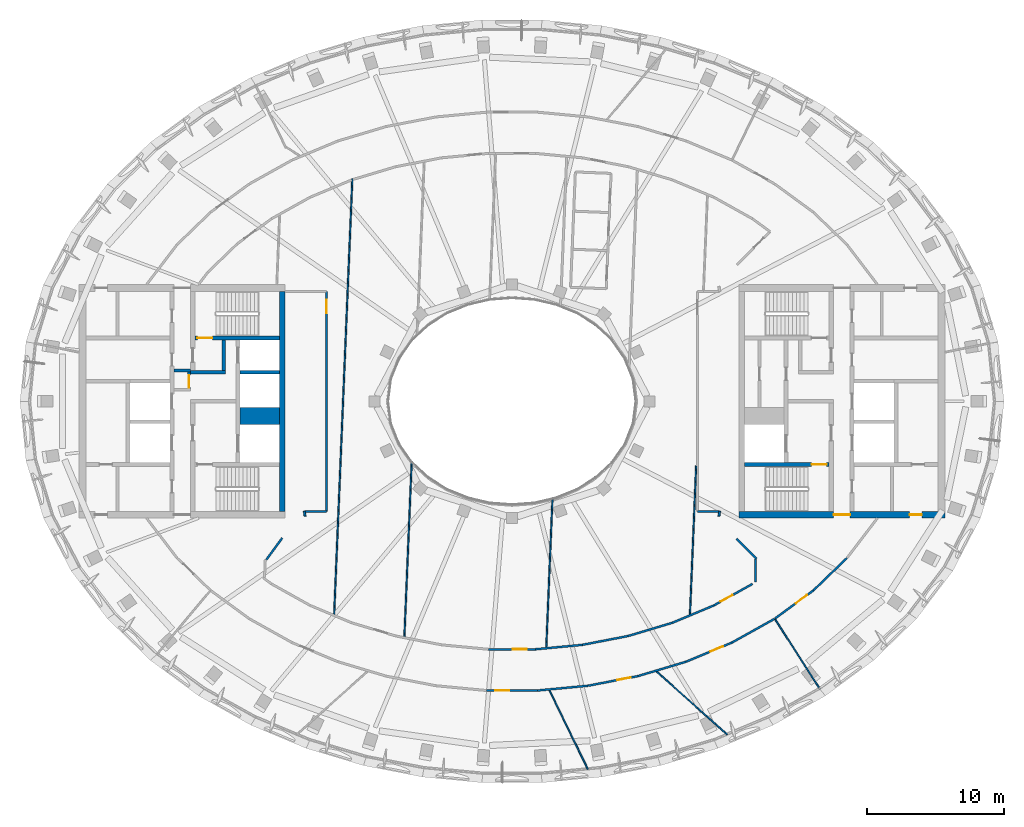
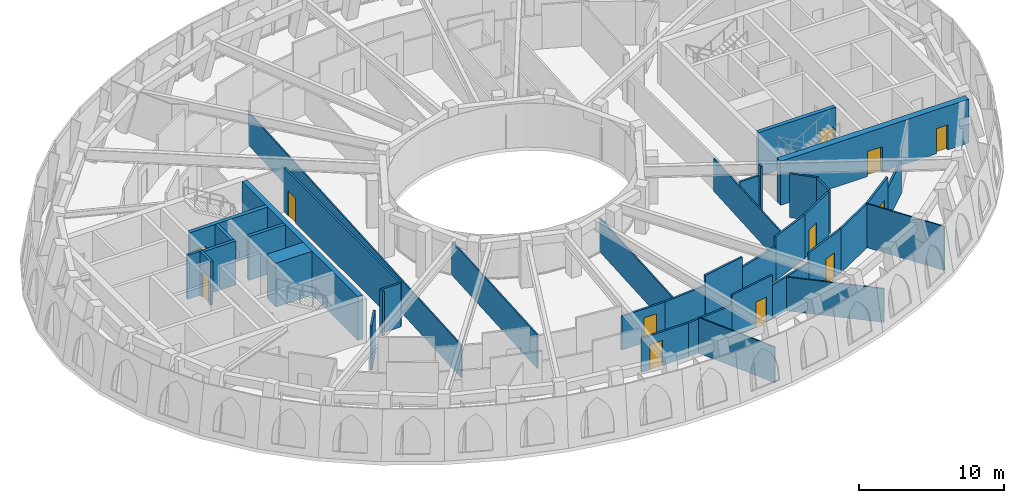
# One storey, part 4 of 14: 39 walls, 12 doors, 12 openings.
"""IFC4 building model written with IfcOpenShell, lengths in metres."""

from ifc_helpers import new_model, si_unit, direction, frame, frame_2d, origin, place, context, subcontext, project, spatial, rectangle, extrude, material, layer, layer_set, type_object, element, fill, save


model = new_model("IFC4")

# Units and contexts
model_context = context("Model", 3, precision=1e-05, world=origin(), true_north=direction((0.0, 1.0)))
body_context = subcontext(model_context, "Body", "Model", "MODEL_VIEW")
ifc_project = project(units=[si_unit("LENGTHUNIT", "METRE"), si_unit("AREAUNIT", "SQUARE_METRE"), si_unit("VOLUMEUNIT", "CUBIC_METRE"), si_unit("PLANEANGLEUNIT", "RADIAN"), si_unit("MASSUNIT", "GRAM", prefix="KILO")], contexts=[model_context])

# Site, building, storey
site_placement = place(None, origin())
site = spatial("IfcSite", under=ifc_project, at=site_placement, CompositionType="ELEMENT")
building_placement = place(site_placement, origin())
building = spatial("IfcBuilding", under=site, at=building_placement, Name="Noorbagh Ring Tower", CompositionType="ELEMENT")
storey_placement = place(building_placement, frame((0.0, 0.0, 335.0)))
storey = spatial("IfcBuildingStorey", under=building, at=storey_placement, Name="L73", CompositionType="ELEMENT", Elevation=335.0)

# Wall
ifc_material_1 = material(Name="Gypsum board on steel studs", Category="steel")
ifc_layer_1 = layer(ifc_material_1, 0.199951171875)
ifc_layer_set_1 = layer_set([ifc_layer_1], Name="Gypsum board on steel studs")
wall_type_1 = type_object("IfcWallType", Name="CORE-PARTITION-200", PredefinedType="PARTITIONING", material=ifc_layer_set_1)
wall_1_placement = place(storey_placement, frame((-23.39990234375, 2.25, 0.0), z_axis=(0.0, 0.0, 1.0), x_axis=(-1.0, 0.0, 0.0)))
element("IfcWall", 1, at=wall_1_placement, inside=storey, type_object=wall_type_1, Name="Core partition W", PredefinedType="PARTITIONING", context=body_context, shape_type="SweptSolid", body=[
    extrude(rectangle(XDim=1.2001953125, YDim=0.199951171875, at=frame_2d((0.60009765625, 0.0))), origin(), (0.0, 0.0, 1.0), 3.699951171875),
])

# Wall, opening, door
wall_2_placement = place(storey_placement, frame((-23.5, 0.75, 0.0), z_axis=(0.0, 0.0, 1.0), x_axis=(0.0, 1.0, 0.0)))
wall_2 = element("IfcWall", 2, at=wall_2_placement, inside=storey, type_object=wall_type_1, Name="Core partition W", PredefinedType="PARTITIONING", context=body_context, shape_type="SweptSolid", body=[
    extrude(rectangle(XDim=1.60009765625, YDim=0.199951171875, at=frame_2d((0.800048828125, 0.0))), origin(), (0.0, 0.0, 1.0), 3.699951171875),
])
opening_1_placement = place(wall_2_placement, frame((0.25, 0.0, 0.0)))
opening_1 = element("IfcOpeningElement", 3, at=opening_1_placement, cuts=wall_2, Name="Opening L73-CW16", PredefinedType="OPENING", context=body_context, shape_type="SweptSolid", body=[
    extrude(rectangle(XDim=0.89990234375, YDim=2.10009765625, at=frame_2d((0.449951171875, 1.050048828125))), frame((0.0, 0.10986328125, 0.0), z_axis=(0.0, -1.0, 0.0), x_axis=(1.0, 0.0, 0.0)), (0.0, 0.0, 1.0), 0.219970703125),
])
ifc_material_2 = material(Name="Steel door leaf", Category="steel")
door_type_1 = type_object("IfcDoorType", Name="CORE-DOOR-DROOM", OperationType="SINGLE_SWING_LEFT", PredefinedType="DOOR", material=ifc_material_2)
door_1_placement = place(opening_1_placement, origin())
door_1 = element("IfcDoor", 4, at=door_1_placement, inside=storey, type_object=door_type_1, Name="Core room door L73-CW16", OperationType="SINGLE_SWING_RIGHT", OverallHeight=2.10009765625, OverallWidth=0.89990234375, PredefinedType="DOOR", context=body_context, shape_type="SweptSolid", body=[
    extrude(rectangle(XDim=0.89990234375, YDim=2.10009765625, at=frame_2d((0.449951171875, 1.050048828125))), frame((0.0, 0.02490234375, 0.0), z_axis=(0.0, -1.0, 0.0), x_axis=(1.0, 0.0, 0.0)), (0.0, 0.0, 1.0), 0.050048828125),
])
fill(opening_1, door_1)

# Walls
ifc_material_3 = material(Name="Concrete C50/60", Category="concrete")
ifc_layer_2 = layer(ifc_material_3, 1.25)
ifc_layer_set_2 = layer_set([ifc_layer_2], Name="Concrete C50/60")
wall_type_2 = type_object("IfcWallType", Name="CORE-WALL-1250-C50-60-EI120", PredefinedType="SHEAR", material=ifc_layer_set_2)
wall_3_placement = place(storey_placement, frame((-16.89990234375, -1.074951171875, 0.0), z_axis=(0.0, 0.0, 1.0), x_axis=(-1.0, 0.0, 0.0)))
element("IfcWall", 5, at=wall_3_placement, inside=storey, type_object=wall_type_2, Name="Core wall W", PredefinedType="SHEAR", context=body_context, shape_type="SweptSolid", body=[
    extrude(rectangle(XDim=2.900146484375, YDim=1.25, at=frame_2d((1.4501953125, 0.0))), origin(), (0.0, 0.0, 1.0), 3.699951171875),
])
ifc_material_4 = material(Name="Concrete C50/60", Category="concrete")
ifc_layer_3 = layer(ifc_material_4, 0.25)
ifc_layer_set_3 = layer_set([ifc_layer_3], Name="Concrete C50/60")
wall_type_3 = type_object("IfcWallType", Name="CORE-WALL-250-C50-60-EI120", PredefinedType="SHEAR", material=ifc_layer_set_3)
wall_4_placement = place(storey_placement, frame((-16.89990234375, 2.125, 0.0), z_axis=(0.0, 0.0, 1.0), x_axis=(-1.0, 0.0, 0.0)))
element("IfcWall", 6, at=wall_4_placement, inside=storey, type_object=wall_type_3, Name="Core wall W", PredefinedType="SHEAR", context=body_context, shape_type="SweptSolid", body=[
    extrude(rectangle(XDim=2.900146484375, YDim=0.25, at=frame_2d((1.4501953125, 0.0))), origin(), (0.0, 0.0, 1.0), 3.699951171875),
])
ifc_material_5 = material(Name="Concrete C50/60", Category="concrete")
ifc_layer_4 = layer(ifc_material_5, 0.25)
ifc_layer_set_4 = layer_set([ifc_layer_4], Name="Concrete C50/60")
wall_type_4 = type_object("IfcWallType", Name="CORE-WALL-250-C50-60-EI240", PredefinedType="SHEAR", material=ifc_layer_set_4)
wall_5_placement = place(storey_placement, frame((-20.85009765625, 2.125, 0.0), z_axis=(0.0, 0.0, 1.0), x_axis=(-1.0, 0.0, 0.0)))
element("IfcWall", 7, at=wall_5_placement, inside=storey, type_object=wall_type_4, Name="Core wall W", PredefinedType="SHEAR", context=body_context, shape_type="SweptSolid", body=[
    extrude(rectangle(XDim=2.52978515625, YDim=0.25, at=frame_2d((1.264892578125, 0.0))), origin(), (0.0, 0.0, 1.0), 3.699951171875),
])
wall_6_placement = place(storey_placement, frame((-20.97509765625, 2.25, 0.0), z_axis=(0.0, 0.0, 1.0), x_axis=(0.0, 1.0, 0.0)))
element("IfcWall", 8, at=wall_6_placement, inside=storey, type_object=wall_type_4, Name="Core wall W", PredefinedType="SHEAR", context=body_context, shape_type="SweptSolid", body=[
    extrude(rectangle(XDim=2.199951171875, YDim=0.25, at=frame_2d((1.10009765625, 0.0))), origin(), (0.0, 0.0, 1.0), 3.699951171875),
])

# Wall, opening, door
ifc_material_6 = material(Name="Concrete C50/60", Category="concrete")
ifc_layer_5 = layer(ifc_material_6, 0.300048828125)
ifc_layer_set_5 = layer_set([ifc_layer_5], Name="Concrete C50/60")
wall_type_5 = type_object("IfcWallType", Name="CORE-WALL-300-C50-60-EI240", PredefinedType="SHEAR", material=ifc_layer_set_5)
wall_7_placement = place(storey_placement, frame((-16.89990234375, 4.60009765625, 0.0), z_axis=(0.0, 0.0, 1.0), x_axis=(-1.0, 0.0, 0.0)))
wall_7 = element("IfcWall", 9, at=wall_7_placement, inside=storey, type_object=wall_type_5, Name="Core wall W", PredefinedType="SHEAR", context=body_context, shape_type="SweptSolid", body=[
    extrude(rectangle(XDim=6.18017578125, YDim=0.300048828125, at=frame_2d((3.090087890625, 0.0))), origin(), (0.0, 0.0, 1.0), 3.699951171875),
])
opening_2_placement = place(wall_7_placement, frame((4.89990234375, 0.0, 0.0)))
opening_2 = element("IfcOpeningElement", 10, at=opening_2_placement, cuts=wall_7, Name="Opening L73-CW05", PredefinedType="OPENING", context=body_context, shape_type="SweptSolid", body=[
    extrude(rectangle(XDim=1.10009765625, YDim=2.10009765625, at=frame_2d((0.550048828125, 1.050048828125))), frame((0.0, 0.16015625, 0.0), z_axis=(0.0, -1.0, 0.0), x_axis=(1.0, 0.0, 0.0)), (0.0, 0.0, 1.0), 0.320068359375),
])
ifc_material_7 = material(Name="Steel door leaf", Category="steel")
door_type_2 = type_object("IfcDoorType", Name="CORE-DOOR-DSTAIR", OperationType="SINGLE_SWING_LEFT", PredefinedType="DOOR", material=ifc_material_7)
door_2_placement = place(opening_2_placement, origin())
door_2 = element("IfcDoor", 11, at=door_2_placement, inside=storey, type_object=door_type_2, Name="Stair door ST1 L73-CW05", OperationType="SINGLE_SWING_RIGHT", OverallHeight=2.10009765625, OverallWidth=1.10009765625, PredefinedType="DOOR", context=body_context, shape_type="SweptSolid", body=[
    extrude(rectangle(XDim=1.10009765625, YDim=2.10009765625, at=frame_2d((0.550048828125, 1.050048828125))), frame((0.0, 0.02490234375, 0.0), z_axis=(0.0, -1.0, 0.0), x_axis=(1.0, 0.0, 0.0)), (0.0, 0.0, 1.0), 0.050048828125),
])
fill(opening_2, door_2)

wall_8_placement = place(storey_placement, frame((16.89990234375, -4.60009765625, 0.0), z_axis=(0.0, 0.0, 1.0), x_axis=(1.0, 0.0, 0.0)))
wall_8 = element("IfcWall", 12, at=wall_8_placement, inside=storey, type_object=wall_type_5, Name="Core wall E", PredefinedType="SHEAR", context=body_context, shape_type="SweptSolid", body=[
    extrude(rectangle(XDim=6.18017578125, YDim=0.300048828125, at=frame_2d((3.090087890625, 0.0))), origin(), (0.0, 0.0, 1.0), 3.699951171875),
])
opening_3_placement = place(wall_8_placement, frame((4.89990234375, 0.0, 0.0)))
opening_3 = element("IfcOpeningElement", 13, at=opening_3_placement, cuts=wall_8, Name="Opening L73-CE05", PredefinedType="OPENING", context=body_context, shape_type="SweptSolid", body=[
    extrude(rectangle(XDim=1.10009765625, YDim=2.10009765625, at=frame_2d((0.550048828125, 1.050048828125))), frame((0.0, 0.16015625, 0.0), z_axis=(0.0, -1.0, 0.0), x_axis=(1.0, 0.0, 0.0)), (0.0, 0.0, 1.0), 0.320068359375),
])
door_3_placement = place(opening_3_placement, origin())
door_3 = element("IfcDoor", 14, at=door_3_placement, inside=storey, type_object=door_type_2, Name="Stair door ST4 L73-CE05", OperationType="SINGLE_SWING_RIGHT", OverallHeight=2.10009765625, OverallWidth=1.10009765625, PredefinedType="DOOR", context=body_context, shape_type="SweptSolid", body=[
    extrude(rectangle(XDim=1.10009765625, YDim=2.10009765625, at=frame_2d((0.550048828125, 1.050048828125))), frame((0.0, 0.02490234375, 0.0), z_axis=(0.0, -1.0, 0.0), x_axis=(1.0, 0.0, 0.0)), (0.0, 0.0, 1.0), 0.050048828125),
])
fill(opening_3, door_3)

# Wall
ifc_material_8 = material(Name="Concrete C50/60", Category="concrete")
ifc_layer_6 = layer(ifc_material_8, 0.39990234375)
ifc_layer_set_6 = layer_set([ifc_layer_6], Name="Concrete C50/60")
wall_type_6 = type_object("IfcWallType", Name="CORE-WALL-400-C50-60-EI240", PredefinedType="SHEAR", material=ifc_layer_set_6)
wall_9_placement = place(storey_placement, frame((-16.699951171875, -8.0, 0.0), z_axis=(0.0, 0.0, 1.0), x_axis=(0.0, 1.0, 0.0)))
element("IfcWall", 15, at=wall_9_placement, inside=storey, type_object=wall_type_6, Name="Core wall W", PredefinedType="SHEAR", context=body_context, shape_type="SweptSolid", body=[
    extrude(rectangle(XDim=16.0, YDim=0.39990234375, at=frame_2d((8.0, 0.0))), origin(), (0.0, 0.0, 1.0), 3.699951171875),
])

# Wall, openings, doors
ifc_material_9 = material(Name="Concrete C50/60", Category="concrete")
ifc_layer_7 = layer(ifc_material_9, 0.5)
ifc_layer_set_7 = layer_set([ifc_layer_7], Name="Concrete C50/60")
wall_type_7 = type_object("IfcWallType", Name="CORE-WALL-500-C50-60-EI240", PredefinedType="SHEAR", material=ifc_layer_set_7)
wall_10_placement = place(storey_placement, frame((16.5, -8.25, 0.0), z_axis=(0.0, 0.0, 1.0), x_axis=(1.0, 0.0, 0.0)))
wall_10 = element("IfcWall", 16, at=wall_10_placement, inside=storey, type_object=wall_type_7, Name="Core wall E", PredefinedType="SHEAR", context=body_context, shape_type="SweptSolid", body=[
    extrude(rectangle(XDim=15.0, YDim=0.5, at=frame_2d((7.5, 0.0))), origin(), (0.0, 0.0, 1.0), 3.699951171875),
])
opening_4_placement = place(wall_10_placement, frame((6.89990234375, 0.0, 0.0)))
opening_4 = element("IfcOpeningElement", 17, at=opening_4_placement, cuts=wall_10, Name="Opening L73-CE09", PredefinedType="OPENING", context=body_context, shape_type="SweptSolid", body=[
    extrude(rectangle(XDim=1.199951171875, YDim=2.10009765625, at=frame_2d((0.60009765625, 1.050048828125))), frame((0.0, 0.260009765625, 0.0), z_axis=(0.0, -1.0, 0.0), x_axis=(1.0, 0.0, 0.0)), (0.0, 0.0, 1.0), 0.52001953125),
])
opening_5_placement = place(wall_10_placement, frame((12.425048828125, 0.0, 0.0)))
opening_5 = element("IfcOpeningElement", 18, at=opening_5_placement, cuts=wall_10, Name="Opening L73-CE16", PredefinedType="OPENING", context=body_context, shape_type="SweptSolid", body=[
    extrude(rectangle(XDim=0.89990234375, YDim=2.10009765625, at=frame_2d((0.449951171875, 1.050048828125))), frame((0.0, 0.260009765625, 0.0), z_axis=(0.0, -1.0, 0.0), x_axis=(1.0, 0.0, 0.0)), (0.0, 0.0, 1.0), 0.52001953125),
])
door_4_placement = place(opening_5_placement, origin())
door_4 = element("IfcDoor", 19, at=door_4_placement, inside=storey, type_object=door_type_1, Name="Core room door L73-CE16", OperationType="SINGLE_SWING_RIGHT", OverallHeight=2.10009765625, OverallWidth=0.89990234375, PredefinedType="DOOR", context=body_context, shape_type="SweptSolid", body=[
    extrude(rectangle(XDim=0.89990234375, YDim=2.10009765625, at=frame_2d((0.449951171875, 1.050048828125))), frame((0.0, 0.02490234375, 0.0), z_axis=(0.0, -1.0, 0.0), x_axis=(1.0, 0.0, 0.0)), (0.0, 0.0, 1.0), 0.050048828125),
])
fill(opening_5, door_4)
ifc_material_10 = material(Name="Steel door leaf", Category="steel")
door_type_3 = type_object("IfcDoorType", Name="CORE-DOOR-PORT", OperationType="DOUBLE_DOOR_DOUBLE_SWING", PredefinedType="DOOR", material=ifc_material_10)
door_5_placement = place(opening_4_placement, origin())
door_5 = element("IfcDoor", 20, at=door_5_placement, inside=storey, type_object=door_type_3, Name="Core entrance door L73-CE09", OperationType="DOUBLE_DOOR_DOUBLE_SWING", OverallHeight=2.10009765625, OverallWidth=1.199951171875, PredefinedType="DOOR", context=body_context, shape_type="SweptSolid", body=[
    extrude(rectangle(XDim=1.199951171875, YDim=2.10009765625, at=frame_2d((0.60009765625, 1.050048828125))), frame((0.0, 0.02490234375, 0.0), z_axis=(0.0, -1.0, 0.0), x_axis=(1.0, 0.0, 0.0)), (0.0, 0.0, 1.0), 0.050048828125),
])
fill(opening_4, door_5)

# Walls
ifc_material_11 = material(Name="Gypsum board on steel studs", Category="steel")
ifc_layer_8 = layer(ifc_material_11, 0.14990234375)
ifc_layer_set_8 = layer_set([ifc_layer_8], Name="Gypsum board on steel studs")
wall_type_8 = type_object("IfcWallType", Name="CORRIDOR PARTITION 150 EI 30", PredefinedType="PARTITIONING", material=ifc_layer_set_8)
wall_11_placement = place(storey_placement, frame((-17.8798828125, -11.530029296875, 0.0), z_axis=(0.0, 0.0, 1.0), x_axis=(0.5903860429, 0.807121007253, 0.0)))
element("IfcWall", 21, at=wall_11_placement, inside=storey, type_object=wall_type_8, Name="L73/wall/P17", PredefinedType="PARTITIONING", context=body_context, shape_type="SweptSolid", body=[
    extrude(rectangle(XDim=1.97119140625, YDim=0.14990234375, at=frame_2d((0.985595703125, 0.0))), origin(), (0.0, 0.0, 1.0), 3.699951171875),
])
wall_12_placement = place(storey_placement, frame((-15.110107421875, -8.0, 0.0), z_axis=(0.0, 0.0, 1.0), x_axis=(0.147086595442, -0.989123618888, 0.0)))
element("IfcWall", 22, at=wall_12_placement, inside=storey, type_object=wall_type_8, Name="L73/wall/P26", PredefinedType="PARTITIONING", context=body_context, shape_type="SweptSolid", body=[
    extrude(rectangle(XDim=0.36181640625, YDim=0.14990234375, at=frame_2d((0.180908203125, 0.0))), origin(), (0.0, 0.0, 1.0), 3.699951171875),
])
wall_13_placement = place(storey_placement, frame((-15.110107421875, -8.0, 0.0), z_axis=(0.0, 0.0, 1.0), x_axis=(1.0, 0.0, 0.0)))
element("IfcWall", 23, at=wall_13_placement, inside=storey, type_object=wall_type_8, Name="L73/wall/P27", PredefinedType="PARTITIONING", context=body_context, shape_type="SweptSolid", body=[
    extrude(rectangle(XDim=1.610107421875, YDim=0.14990234375, at=frame_2d((0.80517578125, 0.0))), origin(), (0.0, 0.0, 1.0), 3.699951171875),
])

# Wall, opening, door
wall_14_placement = place(storey_placement, frame((-13.5, -8.0, 0.0), z_axis=(0.0, 0.0, 1.0), x_axis=(0.0, 1.0, 0.0)))
wall_14 = element("IfcWall", 24, at=wall_14_placement, inside=storey, type_object=wall_type_8, Name="L73/wall/P30", PredefinedType="PARTITIONING", context=body_context, shape_type="SweptSolid", body=[
    extrude(rectangle(XDim=16.0, YDim=0.14990234375, at=frame_2d((8.0, 0.0))), origin(), (0.0, 0.0, 1.0), 3.699951171875),
])
opening_6_placement = place(wall_14_placement, frame((14.39990234375, 0.0, 0.0)))
opening_6 = element("IfcOpeningElement", 25, at=opening_6_placement, cuts=wall_14, Name="Opening D1", PredefinedType="OPENING", context=body_context, shape_type="SweptSolid", body=[
    extrude(rectangle(XDim=1.0, YDim=2.10009765625, at=frame_2d((0.5, 1.050048828125))), frame((0.0, 0.0849609375, 0.0), z_axis=(0.0, -1.0, 0.0), x_axis=(1.0, 0.0, 0.0)), (0.0, 0.0, 1.0), 0.169921875),
])
ifc_material_12 = material(Name="Timber, painted", Category="wood")
door_type_4 = type_object("IfcDoorType", Name="DOOR 1000 X 2100 FD30", OperationType="SINGLE_SWING_LEFT", PredefinedType="DOOR", material=ifc_material_12)
door_6_placement = place(opening_6_placement, origin())
door_6 = element("IfcDoor", 26, at=door_6_placement, inside=storey, type_object=door_type_4, Name="L73-D16", OperationType="SINGLE_SWING_RIGHT", OverallHeight=2.10009765625, OverallWidth=1.0, PredefinedType="DOOR", context=body_context, shape_type="SweptSolid", body=[
    extrude(rectangle(XDim=1.0, YDim=2.10009765625, at=frame_2d((0.5, 1.050048828125))), frame((0.0, 0.02490234375, 0.0), z_axis=(0.0, -1.0, 0.0), x_axis=(1.0, 0.0, 0.0)), (0.0, 0.0, 1.0), 0.050048828125),
])
fill(opening_6, door_6)

wall_15_placement = place(storey_placement, frame((-1.85498046875, -21.041015625, 0.0), z_axis=(0.0, 0.0, 1.0), x_axis=(1.0, 0.0, 0.0)))
wall_15 = element("IfcWall", 27, at=wall_15_placement, inside=storey, type_object=wall_type_8, Name="L73/wall/P46", PredefinedType="PARTITIONING", context=body_context, shape_type="SweptSolid", body=[
    extrude(rectangle(XDim=3.7099609375, YDim=0.14990234375, at=frame_2d((1.85498046875, 0.0))), origin(), (0.0, 0.0, 1.0), 2.85009765625),
])
opening_7_placement = place(wall_15_placement, frame((0.64990234375, 0.0, 0.0)))
opening_7 = element("IfcOpeningElement", 28, at=opening_7_placement, cuts=wall_15, Name="Opening D1", PredefinedType="OPENING", context=body_context, shape_type="SweptSolid", body=[
    extrude(rectangle(XDim=1.0, YDim=2.10009765625, at=frame_2d((0.5, 1.050048828125))), frame((0.0, 0.0849609375, 0.0), z_axis=(0.0, -1.0, 0.0), x_axis=(1.0, 0.0, 0.0)), (0.0, 0.0, 1.0), 0.169921875),
])
door_7_placement = place(opening_7_placement, origin())
door_7 = element("IfcDoor", 29, at=door_7_placement, inside=storey, type_object=door_type_4, Name="L73-D09", OperationType="SINGLE_SWING_LEFT", OverallHeight=2.10009765625, OverallWidth=1.0, PredefinedType="DOOR", context=body_context, shape_type="SweptSolid", body=[
    extrude(rectangle(XDim=1.0, YDim=2.10009765625, at=frame_2d((0.5, 1.050048828125))), frame((0.0, 0.02490234375, 0.0), z_axis=(0.0, -1.0, 0.0), x_axis=(1.0, 0.0, 0.0)), (0.0, 0.0, 1.0), 0.050048828125),
])
fill(opening_7, door_7)

wall_16_placement = place(storey_placement, frame((-1.714111328125, -18.041015625, 0.0), z_axis=(0.0, 0.0, 1.0), x_axis=(1.0, 0.0, 0.0)))
wall_16 = element("IfcWall", 30, at=wall_16_placement, inside=storey, type_object=wall_type_8, Name="L73/wall/P48", PredefinedType="PARTITIONING", context=body_context, shape_type="SweptSolid", body=[
    extrude(rectangle(XDim=3.42822265625, YDim=0.14990234375, at=frame_2d((1.714111328125, 0.0))), origin(), (0.0, 0.0, 1.0), 2.85009765625),
])
opening_8_placement = place(wall_16_placement, frame((1.778076171875, 0.0, 0.0)))
opening_8 = element("IfcOpeningElement", 31, at=opening_8_placement, cuts=wall_16, Name="Opening D1", PredefinedType="OPENING", context=body_context, shape_type="SweptSolid", body=[
    extrude(rectangle(XDim=1.0, YDim=2.10009765625, at=frame_2d((0.5, 1.050048828125))), frame((0.0, 0.0849609375, 0.0), z_axis=(0.0, -1.0, 0.0), x_axis=(1.0, 0.0, 0.0)), (0.0, 0.0, 1.0), 0.169921875),
])
door_8_placement = place(opening_8_placement, origin())
door_8 = element("IfcDoor", 32, at=door_8_placement, inside=storey, type_object=door_type_4, Name="L73-D19", OperationType="SINGLE_SWING_LEFT", OverallHeight=2.10009765625, OverallWidth=1.0, PredefinedType="DOOR", context=body_context, shape_type="SweptSolid", body=[
    extrude(rectangle(XDim=1.0, YDim=2.10009765625, at=frame_2d((0.5, 1.050048828125))), frame((0.0, 0.02490234375, 0.0), z_axis=(0.0, -1.0, 0.0), x_axis=(1.0, 0.0, 0.0)), (0.0, 0.0, 1.0), 0.050048828125),
])
fill(opening_8, door_8)

# Walls
wall_17_placement = place(storey_placement, frame((1.714111328125, -18.041015625, 0.0), z_axis=(0.0, 0.0, 1.0), x_axis=(0.99555211454, 0.094212457962, 0.0)))
element("IfcWall", 33, at=wall_17_placement, inside=storey, type_object=wall_type_8, Name="L73/wall/P52", PredefinedType="PARTITIONING", context=body_context, shape_type="SweptSolid", body=[
    extrude(rectangle(XDim=3.41796875, YDim=0.14990234375, at=frame_2d((1.708984375, 0.0))), origin(), (0.0, 0.0, 1.0), 2.85009765625),
])
wall_18_placement = place(storey_placement, frame((1.85498046875, -21.041015625, 0.0), z_axis=(0.0, 0.0, 1.0), x_axis=(0.995551560304, 0.094218314443, 0.0)))
element("IfcWall", 34, at=wall_18_placement, inside=storey, type_object=wall_type_8, Name="L73/wall/P54", PredefinedType="PARTITIONING", context=body_context, shape_type="SweptSolid", body=[
    extrude(rectangle(XDim=3.70556640625, YDim=0.14990234375, at=frame_2d((1.852783203125, 0.0))), origin(), (0.0, 0.0, 1.0), 2.85009765625),
])
wall_19_placement = place(storey_placement, frame((5.116943359375, -17.718994140625, 0.0), z_axis=(0.0, 0.0, 1.0), x_axis=(0.981837801706, 0.189722247356, 0.0)))
element("IfcWall", 35, at=wall_19_placement, inside=storey, type_object=wall_type_8, Name="L73/wall/P64", PredefinedType="PARTITIONING", context=body_context, shape_type="SweptSolid", body=[
    extrude(rectangle(XDim=3.394775390625, YDim=0.14990234375, at=frame_2d((1.697265625, 0.0))), origin(), (0.0, 0.0, 1.0), 3.699951171875),
])

# Wall, opening, door
wall_20_placement = place(storey_placement, frame((5.5439453125, -20.69189453125, 0.0), z_axis=(0.0, 0.0, 1.0), x_axis=(0.981835168489, 0.189735874094, 0.0)))
wall_20 = element("IfcWall", 36, at=wall_20_placement, inside=storey, type_object=wall_type_8, Name="L73/wall/P66", PredefinedType="PARTITIONING", context=body_context, shape_type="SweptSolid", body=[
    extrude(rectangle(XDim=3.68896484375, YDim=0.14990234375, at=frame_2d((1.844482421875, 0.0))), origin(), (0.0, 0.0, 1.0), 3.699951171875),
])
opening_9_placement = place(wall_20_placement, frame((2.14990234375, 0.0, 0.0)))
opening_9 = element("IfcOpeningElement", 37, at=opening_9_placement, cuts=wall_20, Name="Opening D1", PredefinedType="OPENING", context=body_context, shape_type="SweptSolid", body=[
    extrude(rectangle(XDim=1.0, YDim=2.10009765625, at=frame_2d((0.5, 1.050048828125))), frame((0.0, 0.0849609375, 0.0), z_axis=(0.0, -1.0, 0.0), x_axis=(1.0, 0.0, 0.0)), (0.0, 0.0, 1.0), 0.169921875),
])
door_9_placement = place(opening_9_placement, origin())
door_9 = element("IfcDoor", 38, at=door_9_placement, inside=storey, type_object=door_type_4, Name="L73-D10", OperationType="SINGLE_SWING_RIGHT", OverallHeight=2.10009765625, OverallWidth=1.0, PredefinedType="DOOR", context=body_context, shape_type="SweptSolid", body=[
    extrude(rectangle(XDim=1.0, YDim=2.10009765625, at=frame_2d((0.5, 1.050048828125))), frame((0.0, 0.02490234375, 0.0), z_axis=(0.0, -1.0, 0.0), x_axis=(1.0, 0.0, 0.0)), (0.0, 0.0, 1.0), 0.050048828125),
])
fill(opening_9, door_9)

# Walls
wall_21_placement = place(storey_placement, frame((8.449951171875, -17.074951171875, 0.0), z_axis=(0.0, 0.0, 1.0), x_axis=(0.958098533174, 0.286438825459, 0.0)))
element("IfcWall", 39, at=wall_21_placement, inside=storey, type_object=wall_type_8, Name="L73/wall/P70", PredefinedType="PARTITIONING", context=body_context, shape_type="SweptSolid", body=[
    extrude(rectangle(XDim=3.351318359375, YDim=0.14990234375, at=frame_2d((1.67578125, 0.0))), origin(), (0.0, 0.0, 1.0), 2.85009765625),
])
wall_22_placement = place(storey_placement, frame((9.166015625, -19.991943359375, 0.0), z_axis=(0.0, 0.0, 1.0), x_axis=(0.958125074683, 0.286350032765, 0.0)))
element("IfcWall", 40, at=wall_22_placement, inside=storey, type_object=wall_type_8, Name="L73/wall/P73", PredefinedType="PARTITIONING", context=body_context, shape_type="SweptSolid", body=[
    extrude(rectangle(XDim=3.659423828125, YDim=0.14990234375, at=frame_2d((1.82958984375, 0.0))), origin(), (0.0, 0.0, 1.0), 2.85009765625),
])
wall_23_placement = place(storey_placement, frame((11.660888671875, -16.114990234375, 0.0), z_axis=(0.0, 0.0, 1.0), x_axis=(0.922751694148, 0.385395006385, 0.0)))
element("IfcWall", 41, at=wall_23_placement, inside=storey, type_object=wall_type_8, Name="L73/wall/P76", PredefinedType="PARTITIONING", context=body_context, shape_type="SweptSolid", body=[
    extrude(rectangle(XDim=3.290283203125, YDim=0.14990234375, at=frame_2d((1.64501953125, 0.0))), origin(), (0.0, 0.0, 1.0), 3.699951171875),
])

# Wall, opening, door
wall_24_placement = place(storey_placement, frame((12.672119140625, -18.944091796875, 0.0), z_axis=(0.0, 0.0, 1.0), x_axis=(0.9227571136, 0.385382030329, 0.0)))
wall_24 = element("IfcWall", 42, at=wall_24_placement, inside=storey, type_object=wall_type_8, Name="L73/wall/P78", PredefinedType="PARTITIONING", context=body_context, shape_type="SweptSolid", body=[
    extrude(rectangle(XDim=3.6171875, YDim=0.14990234375, at=frame_2d((1.80859375, 0.0))), origin(), (0.0, 0.0, 1.0), 3.699951171875),
])
opening_10_placement = place(wall_24_placement, frame((1.89990234375, 0.0, 0.0)))
opening_10 = element("IfcOpeningElement", 43, at=opening_10_placement, cuts=wall_24, Name="Opening D1", PredefinedType="OPENING", context=body_context, shape_type="SweptSolid", body=[
    extrude(rectangle(XDim=1.0, YDim=2.10009765625, at=frame_2d((0.5, 1.050048828125))), frame((0.0, 0.0849609375, 0.0), z_axis=(0.0, -1.0, 0.0), x_axis=(1.0, 0.0, 0.0)), (0.0, 0.0, 1.0), 0.169921875),
])
door_10_placement = place(opening_10_placement, origin())
door_10 = element("IfcDoor", 44, at=door_10_placement, inside=storey, type_object=door_type_4, Name="L73-D12", OperationType="SINGLE_SWING_RIGHT", OverallHeight=2.10009765625, OverallWidth=1.0, PredefinedType="DOOR", context=body_context, shape_type="SweptSolid", body=[
    extrude(rectangle(XDim=1.0, YDim=2.10009765625, at=frame_2d((0.5, 1.050048828125))), frame((0.0, 0.02490234375, 0.0), z_axis=(0.0, -1.0, 0.0), x_axis=(1.0, 0.0, 0.0)), (0.0, 0.0, 1.0), 0.050048828125),
])
fill(opening_10, door_10)

# Wall
wall_25_placement = place(storey_placement, frame((13.5, -8.0, 0.0), z_axis=(0.0, 0.0, 1.0), x_axis=(1.0, 0.0, 0.0)))
element("IfcWall", 45, at=wall_25_placement, inside=storey, type_object=wall_type_8, Name="L73/wall/P82", PredefinedType="PARTITIONING", context=body_context, shape_type="SweptSolid", body=[
    extrude(rectangle(XDim=1.610107421875, YDim=0.14990234375, at=frame_2d((0.80517578125, 0.0))), origin(), (0.0, 0.0, 1.0), 2.75),
])

# Wall, opening, door
wall_26_placement = place(storey_placement, frame((14.697021484375, -14.846923828125, 0.0), z_axis=(0.0, 0.0, 1.0), x_axis=(0.873362004831, 0.487071666715, 0.0)))
wall_26 = element("IfcWall", 46, at=wall_26_placement, inside=storey, type_object=wall_type_8, Name="L73/wall/P86", PredefinedType="PARTITIONING", context=body_context, shape_type="SweptSolid", body=[
    extrude(rectangle(XDim=3.204833984375, YDim=0.14990234375, at=frame_2d((1.6025390625, 0.0))), origin(), (0.0, 0.0, 1.0), 3.699951171875),
])
opening_11_placement = place(wall_26_placement, frame((0.554931640625, 0.0, 0.0)))
opening_11 = element("IfcOpeningElement", 47, at=opening_11_placement, cuts=wall_26, Name="Opening D1", PredefinedType="OPENING", context=body_context, shape_type="SweptSolid", body=[
    extrude(rectangle(XDim=1.0, YDim=2.10009765625, at=frame_2d((0.5, 1.050048828125))), frame((0.0, 0.0849609375, 0.0), z_axis=(0.0, -1.0, 0.0), x_axis=(1.0, 0.0, 0.0)), (0.0, 0.0, 1.0), 0.169921875),
])
door_11_placement = place(opening_11_placement, origin())
door_11 = element("IfcDoor", 48, at=door_11_placement, inside=storey, type_object=door_type_4, Name="L73-D22", OperationType="SINGLE_SWING_RIGHT", OverallHeight=2.10009765625, OverallWidth=1.0, PredefinedType="DOOR", context=body_context, shape_type="SweptSolid", body=[
    extrude(rectangle(XDim=1.0, YDim=2.10009765625, at=frame_2d((0.5, 1.050048828125))), frame((0.0, 0.02490234375, 0.0), z_axis=(0.0, -1.0, 0.0), x_axis=(1.0, 0.0, 0.0)), (0.0, 0.0, 1.0), 0.050048828125),
])
fill(opening_11, door_11)

# Walls
wall_27_placement = place(storey_placement, frame((15.056884765625, -8.35791015625, 0.0), z_axis=(0.0, 0.0, 1.0), x_axis=(0.147086595442, 0.989123618888, 0.0)))
element("IfcWall", 49, at=wall_27_placement, inside=storey, type_object=wall_type_8, Name="L73/wall/P88", PredefinedType="PARTITIONING", context=body_context, shape_type="SweptSolid", body=[
    extrude(rectangle(XDim=0.36181640625, YDim=0.14990234375, at=frame_2d((0.180908203125, 0.0))), origin(), (0.0, 0.0, 1.0), 3.699951171875),
])
wall_28_placement = place(storey_placement, frame((16.010009765625, -17.550048828125, 0.0), z_axis=(0.0, 0.0, 1.0), x_axis=(0.873332837235, 0.48712396308, 0.0)))
element("IfcWall", 50, at=wall_28_placement, inside=storey, type_object=wall_type_8, Name="L73/wall/P90", PredefinedType="PARTITIONING", context=body_context, shape_type="SweptSolid", body=[
    extrude(rectangle(XDim=3.539306640625, YDim=0.14990234375, at=frame_2d((1.76953125, 0.0))), origin(), (0.0, 0.0, 1.0), 3.699951171875),
])
wall_29_placement = place(storey_placement, frame((16.339111328125, -10.010986328125, 0.0), z_axis=(0.0, 0.0, 1.0), x_axis=(0.709260755337, -0.704946225565, 0.0)))
element("IfcWall", 51, at=wall_29_placement, inside=storey, type_object=wall_type_8, Name="L73/wall/P93", PredefinedType="PARTITIONING", context=body_context, shape_type="SweptSolid", body=[
    extrude(rectangle(XDim=2.037109375, YDim=0.14990234375, at=frame_2d((1.0185546875, 0.0))), origin(), (0.0, 0.0, 1.0), 3.699951171875),
])
wall_30_placement = place(storey_placement, frame((17.708984375, -13.1298828125, 0.0), z_axis=(0.0, 0.0, 1.0), x_axis=(0.0, 1.0, 0.0)))
element("IfcWall", 52, at=wall_30_placement, inside=storey, type_object=wall_type_8, Name="L73/wall/P96", PredefinedType="PARTITIONING", context=body_context, shape_type="SweptSolid", body=[
    extrude(rectangle(XDim=1.65185546875, YDim=0.14990234375, at=frame_2d((0.825927734375, 0.0))), origin(), (0.0, 0.0, 1.0), 3.699951171875),
])

# Wall, opening, door
wall_31_placement = place(storey_placement, frame((19.135009765625, -15.803955078125, 0.0), z_axis=(0.0, 0.0, 1.0), x_axis=(0.807112208519, 0.590398071525, 0.0)))
wall_31 = element("IfcWall", 53, at=wall_31_placement, inside=storey, type_object=wall_type_8, Name="L73/wall/P99", PredefinedType="PARTITIONING", context=body_context, shape_type="SweptSolid", body=[
    extrude(rectangle(XDim=3.46533203125, YDim=0.14990234375, at=frame_2d((1.732666015625, 0.0))), origin(), (0.0, 0.0, 1.0), 3.699951171875),
])
opening_12_placement = place(wall_31_placement, frame((1.8798828125, 0.0, 0.0)))
opening_12 = element("IfcOpeningElement", 54, at=opening_12_placement, cuts=wall_31, Name="Opening D1", PredefinedType="OPENING", context=body_context, shape_type="SweptSolid", body=[
    extrude(rectangle(XDim=1.0, YDim=2.10009765625, at=frame_2d((0.5, 1.050048828125))), frame((0.0, 0.0849609375, 0.0), z_axis=(0.0, -1.0, 0.0), x_axis=(1.0, 0.0, 0.0)), (0.0, 0.0, 1.0), 0.169921875),
])
door_12_placement = place(opening_12_placement, origin())
door_12 = element("IfcDoor", 55, at=door_12_placement, inside=storey, type_object=door_type_4, Name="L73-D14", OperationType="SINGLE_SWING_RIGHT", OverallHeight=2.10009765625, OverallWidth=1.0, PredefinedType="DOOR", context=body_context, shape_type="SweptSolid", body=[
    extrude(rectangle(XDim=1.0, YDim=2.10009765625, at=frame_2d((0.5, 1.050048828125))), frame((0.0, 0.02490234375, 0.0), z_axis=(0.0, -1.0, 0.0), x_axis=(1.0, 0.0, 0.0)), (0.0, 0.0, 1.0), 0.050048828125),
])
fill(opening_12, door_12)

# Walls
wall_32_placement = place(storey_placement, frame((21.931884765625, -13.758056640625, 0.0), z_axis=(0.0, 0.0, 1.0), x_axis=(0.719511758349, 0.694480258609, 0.0)))
element("IfcWall", 56, at=wall_32_placement, inside=storey, type_object=wall_type_8, Name="L73/wall/P100", PredefinedType="PARTITIONING", context=body_context, shape_type="SweptSolid", body=[
    extrude(rectangle(XDim=3.39404296875, YDim=0.14990234375, at=frame_2d((1.697021484375, 0.0))), origin(), (0.0, 0.0, 1.0), 2.75),
])
ifc_material_13 = material(Name="Gypsum board on steel studs", Category="steel")
ifc_layer_9 = layer(ifc_material_13, 0.10009765625)
ifc_layer_set_9 = layer_set([ifc_layer_9], Name="Gypsum board on steel studs")
wall_type_9 = type_object("IfcWallType", Name="PARTITION 100 GYPSUM", PredefinedType="PARTITIONING", material=ifc_layer_set_9)
wall_33_placement = place(storey_placement, frame((-12.93994140625, -15.4990234375, 0.0), z_axis=(0.0, 0.0, 1.0), x_axis=(0.041661266069, 0.999131792563, 0.0)))
element("IfcWall", 57, at=wall_33_placement, inside=storey, type_object=wall_type_9, Name="L73/wall/P31", PredefinedType="PARTITIONING", context=body_context, shape_type="SweptSolid", body=[
    extrude(rectangle(XDim=31.732666015625, YDim=0.10009765625, at=frame_2d((15.8662109375, 0.0))), origin(), (0.0, 0.0, 1.0), 2.75),
])
wall_34_placement = place(storey_placement, frame((-7.830078125, -17.117919921875, 0.0), z_axis=(0.0, 0.0, 1.0), x_axis=(0.041685652223, 0.999130775424, 0.0)))
element("IfcWall", 58, at=wall_34_placement, inside=storey, type_object=wall_type_9, Name="L73/wall/P40", PredefinedType="PARTITIONING", context=body_context, shape_type="SweptSolid", body=[
    extrude(rectangle(XDim=12.71484375, YDim=0.10009765625, at=frame_2d((6.357421875, 0.0))), origin(), (0.0, 0.0, 1.0), 2.85009765625),
])
wall_35_placement = place(storey_placement, frame((2.493896484375, -17.887939453125, 0.0), z_axis=(0.0, 0.0, 1.0), x_axis=(0.041684962437, 0.999130804203, 0.0)))
element("IfcWall", 59, at=wall_35_placement, inside=storey, type_object=wall_type_9, Name="L73/wall/P56", PredefinedType="PARTITIONING", context=body_context, shape_type="SweptSolid", body=[
    extrude(rectangle(XDim=10.823486328125, YDim=0.10009765625, at=frame_2d((5.41162109375, 0.0))), origin(), (0.0, 0.0, 1.0), 2.85009765625),
])
wall_36_placement = place(storey_placement, frame((2.73291015625, -21.037109375, 0.0), z_axis=(0.0, 0.0, 1.0), x_axis=(0.436976598161, -0.899472874888, 0.0)))
element("IfcWall", 60, at=wall_36_placement, inside=storey, type_object=wall_type_9, Name="L73/wall/P57", PredefinedType="PARTITIONING", context=body_context, shape_type="SweptSolid", body=[
    extrude(rectangle(XDim=6.37158203125, YDim=0.10009765625, at=frame_2d((3.185791015625, 0.0))), origin(), (0.0, 0.0, 1.0), 3.0),
])
wall_37_placement = place(storey_placement, frame((10.52197265625, -19.666015625, 0.0), z_axis=(0.0, 0.0, 1.0), x_axis=(0.746908706259, -0.664926600848, 0.0)))
element("IfcWall", 61, at=wall_37_placement, inside=storey, type_object=wall_type_9, Name="L73/wall/P75", PredefinedType="PARTITIONING", context=body_context, shape_type="SweptSolid", body=[
    extrude(rectangle(XDim=6.89111328125, YDim=0.10009765625, at=frame_2d((3.445556640625, 0.0))), origin(), (0.0, 0.0, 1.0), 2.85009765625),
])
wall_38_placement = place(storey_placement, frame((12.949951171875, -15.490966796875, 0.0), z_axis=(0.0, 0.0, 1.0), x_axis=(0.041676633829, 0.999131151648, 0.0)))
element("IfcWall", 62, at=wall_38_placement, inside=storey, type_object=wall_type_9, Name="L73/wall/P80", PredefinedType="PARTITIONING", context=body_context, shape_type="SweptSolid", body=[
    extrude(rectangle(XDim=10.796142578125, YDim=0.10009765625, at=frame_2d((5.39794921875, 0.0))), origin(), (0.0, 0.0, 1.0), 2.75),
])
wall_39_placement = place(storey_placement, frame((19.12109375, -15.819091796875, 0.0), z_axis=(0.0, 0.0, 1.0), x_axis=(0.539769375375, -0.841812937301, 0.0)))
element("IfcWall", 63, at=wall_39_placement, inside=storey, type_object=wall_type_9, Name="L73/wall/P98", PredefinedType="PARTITIONING", context=body_context, shape_type="SweptSolid", body=[
    extrude(rectangle(XDim=6.05810546875, YDim=0.10009765625, at=frame_2d((3.029052734375, 0.0))), origin(), (0.0, 0.0, 1.0), 3.699951171875),
])

save(model, "model.ifc")
